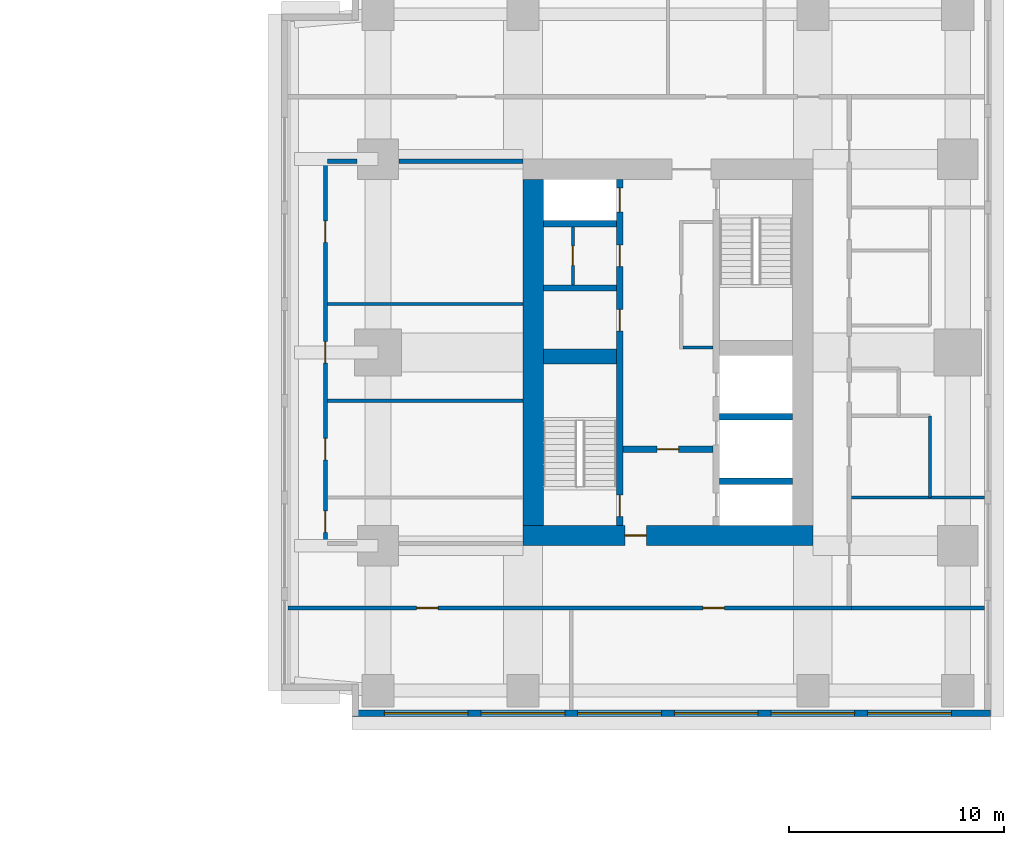
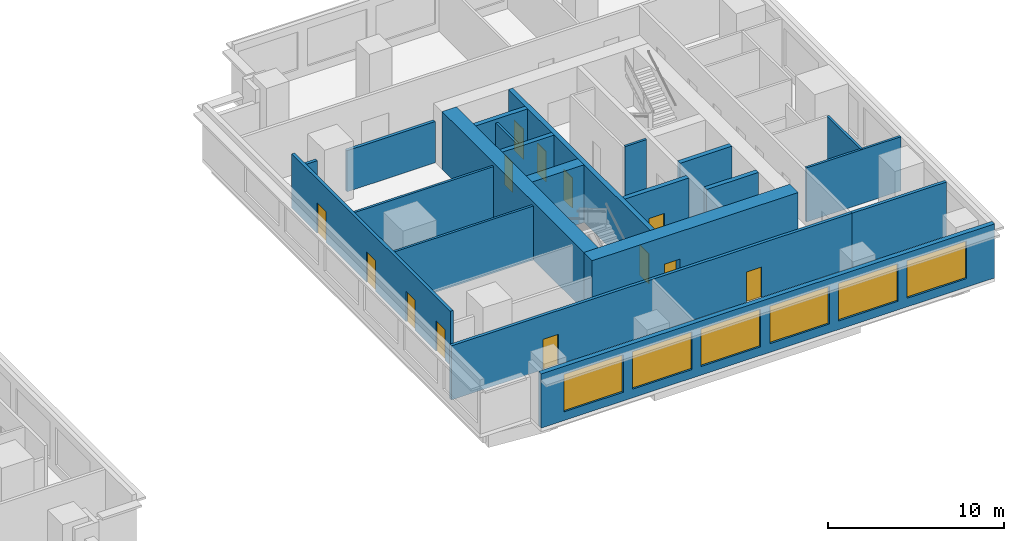
# One storey, part 6 of 10: 21 walls, 13 doors, 6 windows, 19 openings.
"""IFC4 building model written with IfcOpenShell, lengths in metres."""

from ifc_helpers import new_model, si_unit, direction, frame, frame_2d, origin, place, context, subcontext, project, spatial, rectangle, extrude, material, layer, layer_set, type_object, element, fill, save


model = new_model("IFC4")

# Units and contexts
model_context = context("Model", 3, precision=1e-05, world=origin(), true_north=direction((0.0, 1.0)))
body_context = subcontext(model_context, "Body", "Model", "MODEL_VIEW")
ifc_project = project(units=[si_unit("LENGTHUNIT", "METRE"), si_unit("AREAUNIT", "SQUARE_METRE"), si_unit("VOLUMEUNIT", "CUBIC_METRE"), si_unit("PLANEANGLEUNIT", "RADIAN"), si_unit("MASSUNIT", "GRAM", prefix="KILO")], contexts=[model_context])

# Site, building, storey
site_placement = place(None, origin())
site = spatial("IfcSite", under=ifc_project, at=site_placement, CompositionType="ELEMENT")
building_placement = place(site_placement, origin())
building = spatial("IfcBuilding", under=site, at=building_placement, Name="Namib Vertical Campus", CompositionType="ELEMENT")
storey_placement = place(building_placement, frame((0.0, 0.0, 157.0)))
storey = spatial("IfcBuildingStorey", under=building, at=storey_placement, Name="L37", CompositionType="ELEMENT", Elevation=157.0)

# Wall, openings, doors
ifc_material_1 = material(Name="Concrete C60/75", Category="concrete")
ifc_layer_1 = layer(ifc_material_1, 0.300048828125)
ifc_layer_set_1 = layer_set([ifc_layer_1], Name="Concrete C60/75")
wall_type_1 = type_object("IfcWallType", Name="Core inner wall 300", PredefinedType="SHEAR", material=ifc_layer_set_1)
wall_1_placement = place(storey_placement, frame((78.75, 12.199951171875, 0.0), z_axis=(0.0, 0.0, 1.0), x_axis=(0.0, 1.0, 0.0)))
wall_1 = element("IfcWall", 1, at=wall_1_placement, inside=storey, type_object=wall_type_1, Name="Core inner wall B L37 W1", PredefinedType="SHEAR", context=body_context, shape_type="SweptSolid", body=[
    extrude(rectangle(XDim=16.10009765625, YDim=0.300048828125, at=frame_2d((8.050048828125, 0.0))), origin(), (0.0, 0.0, 1.0), 4.0),
])
opening_1_placement = place(wall_1_placement, frame((0.39990234375, 0.0, 0.0)))
opening_1 = element("IfcOpeningElement", 2, at=opening_1_placement, cuts=wall_1, Name="Opening FD1", PredefinedType="OPENING", context=body_context, shape_type="SweptSolid", body=[
    extrude(rectangle(XDim=1.0, YDim=2.10009765625, at=frame_2d((0.5, 1.050048828125))), frame((0.0, 0.159912109375, 0.0), z_axis=(0.0, -1.0, 0.0), x_axis=(1.0, 0.0, 0.0)), (0.0, 0.0, 1.0), 0.320068359375),
])
opening_2_placement = place(wall_1_placement, frame((14.60009765625, 0.0, 0.0)))
opening_2 = element("IfcOpeningElement", 3, at=opening_2_placement, cuts=wall_1, Name="Opening LD1", PredefinedType="OPENING", context=body_context, shape_type="SweptSolid", body=[
    extrude(rectangle(XDim=1.10009765625, YDim=2.10009765625, at=frame_2d((0.550048828125, 1.050048828125))), frame((0.0, 0.159912109375, 0.0), z_axis=(0.0, -1.0, 0.0), x_axis=(1.0, 0.0, 0.0)), (0.0, 0.0, 1.0), 0.320068359375),
])
opening_3_placement = place(wall_1_placement, frame((9.050048828125, 0.0, 0.0)))
opening_3 = element("IfcOpeningElement", 4, at=opening_3_placement, cuts=wall_1, Name="Opening D1", PredefinedType="OPENING", context=body_context, shape_type="SweptSolid", body=[
    extrude(rectangle(XDim=1.0, YDim=2.10009765625, at=frame_2d((0.5, 1.050048828125))), frame((0.0, 0.159912109375, 0.0), z_axis=(0.0, -1.0, 0.0), x_axis=(1.0, 0.0, 0.0)), (0.0, 0.0, 1.0), 0.320068359375),
])
opening_4_placement = place(wall_1_placement, frame((12.050048828125, 0.0, 0.0)))
opening_4 = element("IfcOpeningElement", 5, at=opening_4_placement, cuts=wall_1, Name="Opening D1", PredefinedType="OPENING", context=body_context, shape_type="SweptSolid", body=[
    extrude(rectangle(XDim=1.0, YDim=2.10009765625, at=frame_2d((0.5, 1.050048828125))), frame((0.0, 0.159912109375, 0.0), z_axis=(0.0, -1.0, 0.0), x_axis=(1.0, 0.0, 0.0)), (0.0, 0.0, 1.0), 0.320068359375),
])
ifc_material_2 = material(Name="Timber door leaf", Category="wood")
door_type_1 = type_object("IfcDoorType", Name="Door single 1000x2100", OperationType="SINGLE_SWING_LEFT", PredefinedType="DOOR", material=ifc_material_2)
door_1_placement = place(opening_3_placement, origin())
door_1 = element("IfcDoor", 6, at=door_1_placement, inside=storey, type_object=door_type_1, Name="Door D1 Staff pantry B L37 P1", OperationType="SINGLE_SWING_LEFT", OverallHeight=2.10009765625, OverallWidth=1.0, PredefinedType="DOOR", context=body_context, shape_type="SweptSolid", body=[
    extrude(rectangle(XDim=1.0, YDim=2.10009765625, at=frame_2d((0.5, 1.050048828125))), frame((0.0, 0.02490234375, 0.0), z_axis=(0.0, -1.0, 0.0), x_axis=(1.0, 0.0, 0.0)), (0.0, 0.0, 1.0), 0.050048828125),
])
fill(opening_3, door_1)
door_2_placement = place(opening_4_placement, origin())
door_2 = element("IfcDoor", 7, at=door_2_placement, inside=storey, type_object=door_type_1, Name="Door D1 Records store B L37 P2", OperationType="SINGLE_SWING_LEFT", OverallHeight=2.10009765625, OverallWidth=1.0, PredefinedType="DOOR", context=body_context, shape_type="SweptSolid", body=[
    extrude(rectangle(XDim=1.0, YDim=2.10009765625, at=frame_2d((0.5, 1.050048828125))), frame((0.0, 0.02490234375, 0.0), z_axis=(0.0, -1.0, 0.0), x_axis=(1.0, 0.0, 0.0)), (0.0, 0.0, 1.0), 0.050048828125),
])
fill(opening_4, door_2)
ifc_material_3 = material(Name="Steel fire door", Category="steel")
door_type_2 = type_object("IfcDoorType", Name="Fire door 1000x2100", OperationType="SINGLE_SWING_RIGHT", PredefinedType="DOOR", material=ifc_material_3)
door_3_placement = place(opening_1_placement, origin())
door_3 = element("IfcDoor", 8, at=door_3_placement, inside=storey, type_object=door_type_2, Name="Stair door FD1 B L37 S1", OperationType="SINGLE_SWING_LEFT", OverallHeight=2.10009765625, OverallWidth=1.0, PredefinedType="DOOR", context=body_context, shape_type="SweptSolid", body=[
    extrude(rectangle(XDim=1.0, YDim=2.10009765625, at=frame_2d((0.5, 1.050048828125))), frame((0.0, 0.02490234375, 0.0), z_axis=(0.0, -1.0, 0.0), x_axis=(1.0, 0.0, 0.0)), (0.0, 0.0, 1.0), 0.050048828125),
])
fill(opening_1, door_3)
ifc_material_4 = material(Name="Stainless steel lift door", Category="steel")
door_type_3 = type_object("IfcDoorType", Name="Lift landing door 1100x2100", OperationType="DOUBLE_DOOR_SLIDING", PredefinedType="DOOR", material=ifc_material_4)
door_4_placement = place(opening_2_placement, origin())
door_4 = element("IfcDoor", 9, at=door_4_placement, inside=storey, type_object=door_type_3, Name="Lift landing door LD1 B-P3 L37", OperationType="DOUBLE_DOOR_SLIDING", OverallHeight=2.10009765625, OverallWidth=1.10009765625, PredefinedType="DOOR", context=body_context, shape_type="SweptSolid", body=[
    extrude(rectangle(XDim=1.10009765625, YDim=2.10009765625, at=frame_2d((0.550048828125, 1.050048828125))), frame((0.0, 0.02490234375, 0.0), z_axis=(0.0, -1.0, 0.0), x_axis=(1.0, 0.0, 0.0)), (0.0, 0.0, 1.0), 0.050048828125),
])
fill(opening_2, door_4)

# Wall, opening, door
wall_2_placement = place(storey_placement, frame((78.89990234375, 15.75, 0.0), z_axis=(0.0, 0.0, 1.0), x_axis=(1.0, 0.0, 0.0)))
wall_2 = element("IfcWall", 10, at=wall_2_placement, inside=storey, type_object=wall_type_1, Name="Core inner wall B L37 W4", PredefinedType="SHEAR", context=body_context, shape_type="SweptSolid", body=[
    extrude(rectangle(XDim=4.2001953125, YDim=0.300048828125, at=frame_2d((2.10009765625, 0.0))), origin(), (0.0, 0.0, 1.0), 4.0),
])
opening_5_placement = place(wall_2_placement, frame((1.60009765625, 0.0, 0.0)))
opening_5 = element("IfcOpeningElement", 11, at=opening_5_placement, cuts=wall_2, Name="Opening FD5", PredefinedType="OPENING", context=body_context, shape_type="SweptSolid", body=[
    extrude(rectangle(XDim=1.0, YDim=2.10009765625, at=frame_2d((0.5, 1.050048828125))), frame((0.0, 0.159912109375, 0.0), z_axis=(0.0, -1.0, 0.0), x_axis=(1.0, 0.0, 0.0)), (0.0, 0.0, 1.0), 0.320068359375),
])
ifc_material_5 = material(Name="Steel fire door", Category="steel")
door_type_4 = type_object("IfcDoorType", Name="Fire door 1000x2100 120 min", OperationType="SINGLE_SWING_RIGHT", PredefinedType="DOOR", material=ifc_material_5)
door_5_placement = place(opening_5_placement, frame((1.0, 0.0, 0.0), z_axis=(0.0, 0.0, 1.0), x_axis=(-1.0, 0.0, 0.0)))
door_5 = element("IfcDoor", 12, at=door_5_placement, inside=storey, type_object=door_type_4, Name="Lobby door FD5 B L37", OperationType="SINGLE_SWING_RIGHT", OverallHeight=2.10009765625, OverallWidth=1.0, PredefinedType="DOOR", context=body_context, shape_type="SweptSolid", body=[
    extrude(rectangle(XDim=1.0, YDim=2.10009765625, at=frame_2d((0.5, 1.050048828125))), frame((0.0, 0.02490234375, 0.0), z_axis=(0.0, -1.0, 0.0), x_axis=(1.0, 0.0, 0.0)), (0.0, 0.0, 1.0), 0.050048828125),
])
fill(opening_5, door_5)

# Walls
for number, where, z_axis, x_axis, name in (
    (13, (83.39990234375, 14.25, 0.0), (0.0, 0.0, 1.0), (1.0, 0.0, 0.0), "Core inner wall B L37 W5"),
    (14, (83.39990234375, 17.25, 0.0), (0.0, 0.0, 1.0), (1.0, 0.0, 0.0), "Core inner wall B L37 W6"),
    (15, (75.199951171875, 23.25, 0.0), (0.0, 0.0, 1.0), (1.0, 0.0, 0.0), "Core inner wall B L37 W8"),
    (16, (75.199951171875, 26.25, 0.0), (0.0, 0.0, 1.0), (1.0, 0.0, 0.0), "Core inner wall B L37 W9"),
):
    element("IfcWall", number, at=place(storey_placement, frame(where, z_axis=z_axis, x_axis=x_axis)), inside=storey, type_object=wall_type_1, Name=name, PredefinedType="SHEAR", context=body_context, shape_type="SweptSolid", body=[
        extrude(rectangle(XDim=3.400146484375, YDim=0.300048828125, at=frame_2d((1.7001953125, 0.0))), origin(), (0.0, 0.0, 1.0), 4.0),
    ])
ifc_material_6 = material(Name="Concrete C60/75", Category="concrete")
ifc_layer_2 = layer(ifc_material_6, 0.699951171875)
ifc_layer_set_2 = layer_set([ifc_layer_2], Name="Concrete C60/75")
wall_type_2 = type_object("IfcWallType", Name="Core shear wall 700", PredefinedType="SHEAR", material=ifc_layer_set_2)
wall_3_placement = place(storey_placement, frame((75.199951171875, 20.050048828125, 0.0), z_axis=(0.0, 0.0, 1.0), x_axis=(1.0, 0.0, 0.0)))
element("IfcWall", 17, at=wall_3_placement, inside=storey, type_object=wall_type_2, Name="Core shear wall B L37 W3", PredefinedType="SHEAR", context=body_context, shape_type="SweptSolid", body=[
    extrude(rectangle(XDim=3.400146484375, YDim=0.699951171875, at=frame_2d((1.7001953125, 0.0))), origin(), (0.0, 0.0, 1.0), 4.0),
])

# Wall, opening, door
ifc_material_7 = material(Name="Concrete C60/75", Category="concrete")
ifc_layer_3 = layer(ifc_material_7, 0.949951171875)
ifc_layer_set_3 = layer_set([ifc_layer_3], Name="Concrete C60/75")
wall_type_3 = type_object("IfcWallType", Name="Core wall 950", PredefinedType="SHEAR", material=ifc_layer_set_3)
wall_4_placement = place(storey_placement, frame((74.25, 11.72509765625, 0.0), z_axis=(0.0, 0.0, 1.0), x_axis=(1.0, 0.0, 0.0)))
wall_4 = element("IfcWall", 18, at=wall_4_placement, inside=storey, type_object=wall_type_3, Name="Core wall B L37 1", PredefinedType="SHEAR", context=body_context, shape_type="SweptSolid", body=[
    extrude(rectangle(XDim=13.5, YDim=0.949951171875, at=frame_2d((6.75, 0.0))), origin(), (0.0, 0.0, 1.0), 4.0),
])
opening_6_placement = place(wall_4_placement, frame((4.75, 0.0, 0.0)))
opening_6 = element("IfcOpeningElement", 19, at=opening_6_placement, cuts=wall_4, Name="Opening FD5", PredefinedType="OPENING", context=body_context, shape_type="SweptSolid", body=[
    extrude(rectangle(XDim=1.0, YDim=2.10009765625, at=frame_2d((0.5, 1.050048828125))), frame((0.0, 0.48486328125, 0.0), z_axis=(0.0, -1.0, 0.0), x_axis=(1.0, 0.0, 0.0)), (0.0, 0.0, 1.0), 0.969970703125),
])
door_6_placement = place(opening_6_placement, origin())
door_6 = element("IfcDoor", 20, at=door_6_placement, inside=storey, type_object=door_type_4, Name="Firefighting lobby door FD5 B L37", OperationType="SINGLE_SWING_LEFT", OverallHeight=2.10009765625, OverallWidth=1.0, PredefinedType="DOOR", context=body_context, shape_type="SweptSolid", body=[
    extrude(rectangle(XDim=1.0, YDim=2.10009765625, at=frame_2d((0.5, 1.050048828125))), frame((0.0, 0.02490234375, 0.0), z_axis=(0.0, -1.0, 0.0), x_axis=(1.0, 0.0, 0.0)), (0.0, 0.0, 1.0), 0.050048828125),
])
fill(opening_6, door_6)

# Wall
wall_5_placement = place(storey_placement, frame((74.72509765625, 28.300048828125, 0.0), z_axis=(0.0, 0.0, 1.0), x_axis=(0.0, -1.0, 0.0)))
element("IfcWall", 21, at=wall_5_placement, inside=storey, type_object=wall_type_3, Name="Core wall B L37 4", PredefinedType="SHEAR", context=body_context, shape_type="SweptSolid", body=[
    extrude(rectangle(XDim=16.10009765625, YDim=0.949951171875, at=frame_2d((8.050048828125, 0.0))), origin(), (0.0, 0.0, 1.0), 4.0),
])

# Wall, openings, doors
ifc_material_8 = material(Name="Concrete masonry", Category="masonry")
ifc_layer_4 = layer(ifc_material_8, 0.199951171875)
ifc_layer_set_4 = layer_set([ifc_layer_4], Name="Corridor wall 200")
wall_type_4 = type_object("IfcWallType", Name="Corridor wall 200", PredefinedType="SOLIDWALL", material=ifc_layer_set_4)
wall_6_placement = place(storey_placement, frame((63.300048828125, 8.35009765625, 0.0), z_axis=(0.0, 0.0, 1.0), x_axis=(1.0, 0.0, 0.0)))
wall_6 = element("IfcWall", 22, at=wall_6_placement, inside=storey, type_object=wall_type_4, Name="Corridor wall B L37 CS", PredefinedType="SOLIDWALL", context=body_context, shape_type="SweptSolid", body=[
    extrude(rectangle(XDim=26.25, YDim=0.199951171875, at=frame_2d((13.125, 0.0))), origin(), (0.0, 0.0, 1.0), 3.75),
])
opening_7_placement = place(wall_6_placement, frame((6.0, 0.0, 0.0)))
opening_7 = element("IfcOpeningElement", 23, at=opening_7_placement, cuts=wall_6, Name="Opening CD1", PredefinedType="OPENING", context=body_context, shape_type="SweptSolid", body=[
    extrude(rectangle(XDim=1.0, YDim=2.10009765625, at=frame_2d((0.5, 1.050048828125))), frame((0.0, 0.10986328125, 0.0), z_axis=(0.0, -1.0, 0.0), x_axis=(1.0, 0.0, 0.0)), (0.0, 0.0, 1.0), 0.219970703125),
])
opening_8_placement = place(wall_6_placement, frame((19.324951171875, 0.0, 0.0)))
opening_8 = element("IfcOpeningElement", 24, at=opening_8_placement, cuts=wall_6, Name="Opening CD1", PredefinedType="OPENING", context=body_context, shape_type="SweptSolid", body=[
    extrude(rectangle(XDim=1.0, YDim=2.10009765625, at=frame_2d((0.5, 1.050048828125))), frame((0.0, 0.10986328125, 0.0), z_axis=(0.0, -1.0, 0.0), x_axis=(1.0, 0.0, 0.0)), (0.0, 0.0, 1.0), 0.219970703125),
])
ifc_material_9 = material(Name="Timber fire door leaf", Category="wood")
door_type_5 = type_object("IfcDoorType", Name="Corridor door 1000x2100 20 min", OperationType="SINGLE_SWING_LEFT", PredefinedType="DOOR", material=ifc_material_9)
door_7_placement = place(opening_7_placement, frame((1.0, 0.0, 0.0), z_axis=(0.0, 0.0, 1.0), x_axis=(-1.0, 0.0, 0.0)))
door_7 = element("IfcDoor", 25, at=door_7_placement, inside=storey, type_object=door_type_5, Name="Door CD1 B37-01", OperationType="SINGLE_SWING_LEFT", OverallHeight=2.10009765625, OverallWidth=1.0, PredefinedType="DOOR", context=body_context, shape_type="SweptSolid", body=[
    extrude(rectangle(XDim=1.0, YDim=2.10009765625, at=frame_2d((0.5, 1.050048828125))), frame((0.0, 0.02490234375, 0.0), z_axis=(0.0, -1.0, 0.0), x_axis=(1.0, 0.0, 0.0)), (0.0, 0.0, 1.0), 0.050048828125),
])
fill(opening_7, door_7)
door_8_placement = place(opening_8_placement, frame((1.0, 0.0, 0.0), z_axis=(0.0, 0.0, 1.0), x_axis=(-1.0, 0.0, 0.0)))
door_8 = element("IfcDoor", 26, at=door_8_placement, inside=storey, type_object=door_type_5, Name="Door CD1 B37-02", OperationType="SINGLE_SWING_RIGHT", OverallHeight=2.10009765625, OverallWidth=1.0, PredefinedType="DOOR", context=body_context, shape_type="SweptSolid", body=[
    extrude(rectangle(XDim=1.0, YDim=2.10009765625, at=frame_2d((0.5, 1.050048828125))), frame((0.0, 0.02490234375, 0.0), z_axis=(0.0, -1.0, 0.0), x_axis=(1.0, 0.0, 0.0)), (0.0, 0.0, 1.0), 0.050048828125),
])
fill(opening_8, door_8)

wall_7_placement = place(storey_placement, frame((65.050048828125, 29.25, 0.0), z_axis=(0.0, 0.0, 1.0), x_axis=(0.0, -1.0, 0.0)))
wall_7 = element("IfcWall", 27, at=wall_7_placement, inside=storey, type_object=wall_type_4, Name="Corridor wall B L37 CG", PredefinedType="SOLIDWALL", context=body_context, shape_type="SweptSolid", body=[
    extrude(rectangle(XDim=18.0, YDim=0.199951171875, at=frame_2d((9.0, 0.0))), origin(), (0.0, 0.0, 1.0), 3.75),
])
opening_9_placement = place(wall_7_placement, frame((16.375, 0.0, 0.0)))
opening_9 = element("IfcOpeningElement", 28, at=opening_9_placement, cuts=wall_7, Name="Opening CD1", PredefinedType="OPENING", context=body_context, shape_type="SweptSolid", body=[
    extrude(rectangle(XDim=1.0, YDim=2.10009765625, at=frame_2d((0.5, 1.050048828125))), frame((0.0, 0.10986328125, 0.0), z_axis=(0.0, -1.0, 0.0), x_axis=(1.0, 0.0, 0.0)), (0.0, 0.0, 1.0), 0.219970703125),
])
opening_10_placement = place(wall_7_placement, frame((13.0, 0.0, 0.0)))
opening_10 = element("IfcOpeningElement", 29, at=opening_10_placement, cuts=wall_7, Name="Opening CD1", PredefinedType="OPENING", context=body_context, shape_type="SweptSolid", body=[
    extrude(rectangle(XDim=1.0, YDim=2.10009765625, at=frame_2d((0.5, 1.050048828125))), frame((0.0, 0.10986328125, 0.0), z_axis=(0.0, -1.0, 0.0), x_axis=(1.0, 0.0, 0.0)), (0.0, 0.0, 1.0), 0.219970703125),
])
opening_11_placement = place(wall_7_placement, frame((8.5, 0.0, 0.0)))
opening_11 = element("IfcOpeningElement", 30, at=opening_11_placement, cuts=wall_7, Name="Opening CD1", PredefinedType="OPENING", context=body_context, shape_type="SweptSolid", body=[
    extrude(rectangle(XDim=1.0, YDim=2.10009765625, at=frame_2d((0.5, 1.050048828125))), frame((0.0, 0.10986328125, 0.0), z_axis=(0.0, -1.0, 0.0), x_axis=(1.0, 0.0, 0.0)), (0.0, 0.0, 1.0), 0.219970703125),
])
opening_12_placement = place(wall_7_placement, frame((2.875, 0.0, 0.0)))
opening_12 = element("IfcOpeningElement", 31, at=opening_12_placement, cuts=wall_7, Name="Opening CD1", PredefinedType="OPENING", context=body_context, shape_type="SweptSolid", body=[
    extrude(rectangle(XDim=1.0, YDim=2.10009765625, at=frame_2d((0.5, 1.050048828125))), frame((0.0, 0.10986328125, 0.0), z_axis=(0.0, -1.0, 0.0), x_axis=(1.0, 0.0, 0.0)), (0.0, 0.0, 1.0), 0.219970703125),
])
door_9_placement = place(opening_9_placement, origin())
door_9 = element("IfcDoor", 32, at=door_9_placement, inside=storey, type_object=door_type_5, Name="Door CD1 B37-13", OperationType="SINGLE_SWING_LEFT", OverallHeight=2.10009765625, OverallWidth=1.0, PredefinedType="DOOR", context=body_context, shape_type="SweptSolid", body=[
    extrude(rectangle(XDim=1.0, YDim=2.10009765625, at=frame_2d((0.5, 1.050048828125))), frame((0.0, 0.02490234375, 0.0), z_axis=(0.0, -1.0, 0.0), x_axis=(1.0, 0.0, 0.0)), (0.0, 0.0, 1.0), 0.050048828125),
])
fill(opening_9, door_9)
door_10_placement = place(opening_10_placement, origin())
door_10 = element("IfcDoor", 33, at=door_10_placement, inside=storey, type_object=door_type_5, Name="Door CD1 B37-14", OperationType="SINGLE_SWING_LEFT", OverallHeight=2.10009765625, OverallWidth=1.0, PredefinedType="DOOR", context=body_context, shape_type="SweptSolid", body=[
    extrude(rectangle(XDim=1.0, YDim=2.10009765625, at=frame_2d((0.5, 1.050048828125))), frame((0.0, 0.02490234375, 0.0), z_axis=(0.0, -1.0, 0.0), x_axis=(1.0, 0.0, 0.0)), (0.0, 0.0, 1.0), 0.050048828125),
])
fill(opening_10, door_10)
door_11_placement = place(opening_11_placement, origin())
door_11 = element("IfcDoor", 34, at=door_11_placement, inside=storey, type_object=door_type_5, Name="Door CD1 B37-15", OperationType="SINGLE_SWING_LEFT", OverallHeight=2.10009765625, OverallWidth=1.0, PredefinedType="DOOR", context=body_context, shape_type="SweptSolid", body=[
    extrude(rectangle(XDim=1.0, YDim=2.10009765625, at=frame_2d((0.5, 1.050048828125))), frame((0.0, 0.02490234375, 0.0), z_axis=(0.0, -1.0, 0.0), x_axis=(1.0, 0.0, 0.0)), (0.0, 0.0, 1.0), 0.050048828125),
])
fill(opening_11, door_11)
door_12_placement = place(opening_12_placement, origin())
door_12 = element("IfcDoor", 35, at=door_12_placement, inside=storey, type_object=door_type_5, Name="Door CD1 B37-16", OperationType="SINGLE_SWING_LEFT", OverallHeight=2.10009765625, OverallWidth=1.0, PredefinedType="DOOR", context=body_context, shape_type="SweptSolid", body=[
    extrude(rectangle(XDim=1.0, YDim=2.10009765625, at=frame_2d((0.5, 1.050048828125))), frame((0.0, 0.02490234375, 0.0), z_axis=(0.0, -1.0, 0.0), x_axis=(1.0, 0.0, 0.0)), (0.0, 0.0, 1.0), 0.050048828125),
])
fill(opening_12, door_12)

# Walls
wall_8_placement = place(storey_placement, frame((65.14990234375, 29.14990234375, 0.0), z_axis=(0.0, 0.0, 1.0), x_axis=(1.0, 0.0, 0.0)))
element("IfcWall", 36, at=wall_8_placement, inside=storey, type_object=wall_type_4, Name="Corridor wall B L37 GN", PredefinedType="SOLIDWALL", context=body_context, shape_type="SweptSolid", body=[
    extrude(rectangle(XDim=1.380126953125, YDim=0.199951171875, at=frame_2d((0.68994140625, 0.0))), origin(), (0.0, 0.0, 1.0), 2.85009765625),
])
wall_9_placement = place(storey_placement, frame((68.469970703125, 29.14990234375, 0.0), z_axis=(0.0, 0.0, 1.0), x_axis=(1.0, 0.0, 0.0)))
element("IfcWall", 37, at=wall_9_placement, inside=storey, type_object=wall_type_4, Name="Corridor wall B L37 GN", PredefinedType="SOLIDWALL", context=body_context, shape_type="SweptSolid", body=[
    extrude(rectangle(XDim=5.780029296875, YDim=0.199951171875, at=frame_2d((2.89013671875, 0.0))), origin(), (0.0, 0.0, 1.0), 2.85009765625),
])
wall_10_placement = place(storey_placement, frame((89.550048828125, 8.35009765625, 0.0), z_axis=(0.0, 0.0, 1.0), x_axis=(1.0, 0.0, 0.0)))
element("IfcWall", 38, at=wall_10_placement, inside=storey, type_object=wall_type_4, Name="Partition B L37 BSE", PredefinedType="SOLIDWALL", context=body_context, shape_type="SweptSolid", body=[
    extrude(rectangle(XDim=6.199951171875, YDim=0.199951171875, at=frame_2d((3.10009765625, 0.0))), origin(), (0.0, 0.0, 1.0), 3.75),
])

# Wall, openings, windows
ifc_material_10 = material(Name="Concrete C40/50", Category="concrete")
ifc_layer_5 = layer(ifc_material_10, 0.300048828125)
ifc_layer_set_5 = layer_set([ifc_layer_5], Name="Concrete C40/50")
wall_type_5 = type_object("IfcWallType", Name="External wall 300 board-marked concrete", PredefinedType="STANDARD", material=ifc_layer_set_5)
wall_11_placement = place(storey_placement, frame((66.320068359375, 3.449951171875, 0.0), z_axis=(0.0, 0.0, 1.0), x_axis=(1.0, 0.0, 0.0)))
wall_11 = element("IfcWall", 39, at=wall_11_placement, inside=storey, type_object=wall_type_5, Name="External wall L37 F03", PredefinedType="STANDARD", context=body_context, shape_type="SweptSolid", body=[
    extrude(rectangle(XDim=29.7099609375, YDim=0.300048828125, at=frame_2d((14.85498046875, 0.0))), origin(), (0.0, 0.0, 1.0), 3.75),
])
opening_13_placement = place(wall_11_placement, frame((1.47998046875, 0.0, 0.60009765625)))
opening_13 = element("IfcOpeningElement", 40, at=opening_13_placement, cuts=wall_11, Name="Opening W2", PredefinedType="OPENING", context=body_context, shape_type="SweptSolid", body=[
    extrude(rectangle(XDim=3.89990234375, YDim=2.60009765625, at=frame_2d((1.949951171875, 1.300048828125))), frame((0.0, 0.159912109375, 0.0), z_axis=(0.0, -1.0, 0.0), x_axis=(1.0, 0.0, 0.0)), (0.0, 0.0, 1.0), 0.320068359375),
])
opening_14_placement = place(wall_11_placement, frame((5.97998046875, 0.0, 0.60009765625)))
opening_14 = element("IfcOpeningElement", 41, at=opening_14_placement, cuts=wall_11, Name="Opening W2", PredefinedType="OPENING", context=body_context, shape_type="SweptSolid", body=[
    extrude(rectangle(XDim=3.89990234375, YDim=2.60009765625, at=frame_2d((1.949951171875, 1.300048828125))), frame((0.0, 0.159912109375, 0.0), z_axis=(0.0, -1.0, 0.0), x_axis=(1.0, 0.0, 0.0)), (0.0, 0.0, 1.0), 0.320068359375),
])
opening_15_placement = place(wall_11_placement, frame((10.47998046875, 0.0, 0.60009765625)))
opening_15 = element("IfcOpeningElement", 42, at=opening_15_placement, cuts=wall_11, Name="Opening W2", PredefinedType="OPENING", context=body_context, shape_type="SweptSolid", body=[
    extrude(rectangle(XDim=3.89990234375, YDim=2.60009765625, at=frame_2d((1.949951171875, 1.300048828125))), frame((0.0, 0.159912109375, 0.0), z_axis=(0.0, -1.0, 0.0), x_axis=(1.0, 0.0, 0.0)), (0.0, 0.0, 1.0), 0.320068359375),
])
opening_16_placement = place(wall_11_placement, frame((14.97998046875, 0.0, 0.60009765625)))
opening_16 = element("IfcOpeningElement", 43, at=opening_16_placement, cuts=wall_11, Name="Opening W2", PredefinedType="OPENING", context=body_context, shape_type="SweptSolid", body=[
    extrude(rectangle(XDim=3.89990234375, YDim=2.60009765625, at=frame_2d((1.949951171875, 1.300048828125))), frame((0.0, 0.159912109375, 0.0), z_axis=(0.0, -1.0, 0.0), x_axis=(1.0, 0.0, 0.0)), (0.0, 0.0, 1.0), 0.320068359375),
])
opening_17_placement = place(wall_11_placement, frame((19.47998046875, 0.0, 0.60009765625)))
opening_17 = element("IfcOpeningElement", 44, at=opening_17_placement, cuts=wall_11, Name="Opening W2", PredefinedType="OPENING", context=body_context, shape_type="SweptSolid", body=[
    extrude(rectangle(XDim=3.89990234375, YDim=2.60009765625, at=frame_2d((1.949951171875, 1.300048828125))), frame((0.0, 0.159912109375, 0.0), z_axis=(0.0, -1.0, 0.0), x_axis=(1.0, 0.0, 0.0)), (0.0, 0.0, 1.0), 0.320068359375),
])
opening_18_placement = place(wall_11_placement, frame((23.97998046875, 0.0, 0.60009765625)))
opening_18 = element("IfcOpeningElement", 45, at=opening_18_placement, cuts=wall_11, Name="Opening W2", PredefinedType="OPENING", context=body_context, shape_type="SweptSolid", body=[
    extrude(rectangle(XDim=3.89990234375, YDim=2.60009765625, at=frame_2d((1.949951171875, 1.300048828125))), frame((0.0, 0.159912109375, 0.0), z_axis=(0.0, -1.0, 0.0), x_axis=(1.0, 0.0, 0.0)), (0.0, 0.0, 1.0), 0.320068359375),
])
ifc_material_11 = material(Name="Dark tinted glass in black aluminium frame", Category="aluminium")
window_type = type_object("IfcWindowType", Name="Ribbon window 3900x2600", PartitioningType="SINGLE_PANEL", PredefinedType="WINDOW", material=ifc_material_11)
window_1_placement = place(opening_13_placement, origin())
window_1 = element("IfcWindow", 46, at=window_1_placement, inside=storey, type_object=window_type, Name="Window W2 L37 F03-1", OverallHeight=2.60009765625, OverallWidth=3.89990234375, PartitioningType="SINGLE_PANEL", PredefinedType="WINDOW", context=body_context, shape_type="SweptSolid", body=[
    extrude(rectangle(XDim=3.89990234375, YDim=2.60009765625, at=frame_2d((1.949951171875, 1.300048828125))), frame((0.0, 0.030029296875, 0.0), z_axis=(0.0, -1.0, 0.0), x_axis=(1.0, 0.0, 0.0)), (0.0, 0.0, 1.0), 0.06005859375),
])
fill(opening_13, window_1)
window_2_placement = place(opening_14_placement, origin())
window_2 = element("IfcWindow", 47, at=window_2_placement, inside=storey, type_object=window_type, Name="Window W2 L37 F03-2", OverallHeight=2.60009765625, OverallWidth=3.89990234375, PartitioningType="SINGLE_PANEL", PredefinedType="WINDOW", context=body_context, shape_type="SweptSolid", body=[
    extrude(rectangle(XDim=3.89990234375, YDim=2.60009765625, at=frame_2d((1.949951171875, 1.300048828125))), frame((0.0, 0.030029296875, 0.0), z_axis=(0.0, -1.0, 0.0), x_axis=(1.0, 0.0, 0.0)), (0.0, 0.0, 1.0), 0.06005859375),
])
fill(opening_14, window_2)
window_3_placement = place(opening_15_placement, origin())
window_3 = element("IfcWindow", 48, at=window_3_placement, inside=storey, type_object=window_type, Name="Window W2 L37 F03-3", OverallHeight=2.60009765625, OverallWidth=3.89990234375, PartitioningType="SINGLE_PANEL", PredefinedType="WINDOW", context=body_context, shape_type="SweptSolid", body=[
    extrude(rectangle(XDim=3.89990234375, YDim=2.60009765625, at=frame_2d((1.949951171875, 1.300048828125))), frame((0.0, 0.030029296875, 0.0), z_axis=(0.0, -1.0, 0.0), x_axis=(1.0, 0.0, 0.0)), (0.0, 0.0, 1.0), 0.06005859375),
])
fill(opening_15, window_3)
window_4_placement = place(opening_16_placement, origin())
window_4 = element("IfcWindow", 49, at=window_4_placement, inside=storey, type_object=window_type, Name="Window W2 L37 F03-4", OverallHeight=2.60009765625, OverallWidth=3.89990234375, PartitioningType="SINGLE_PANEL", PredefinedType="WINDOW", context=body_context, shape_type="SweptSolid", body=[
    extrude(rectangle(XDim=3.89990234375, YDim=2.60009765625, at=frame_2d((1.949951171875, 1.300048828125))), frame((0.0, 0.030029296875, 0.0), z_axis=(0.0, -1.0, 0.0), x_axis=(1.0, 0.0, 0.0)), (0.0, 0.0, 1.0), 0.06005859375),
])
fill(opening_16, window_4)
window_5_placement = place(opening_17_placement, origin())
window_5 = element("IfcWindow", 50, at=window_5_placement, inside=storey, type_object=window_type, Name="Window W2 L37 F03-5", OverallHeight=2.60009765625, OverallWidth=3.89990234375, PartitioningType="SINGLE_PANEL", PredefinedType="WINDOW", context=body_context, shape_type="SweptSolid", body=[
    extrude(rectangle(XDim=3.89990234375, YDim=2.60009765625, at=frame_2d((1.949951171875, 1.300048828125))), frame((0.0, 0.030029296875, 0.0), z_axis=(0.0, -1.0, 0.0), x_axis=(1.0, 0.0, 0.0)), (0.0, 0.0, 1.0), 0.06005859375),
])
fill(opening_17, window_5)
window_6_placement = place(opening_18_placement, origin())
window_6 = element("IfcWindow", 51, at=window_6_placement, inside=storey, type_object=window_type, Name="Window W2 L37 F03-6", OverallHeight=2.60009765625, OverallWidth=3.89990234375, PartitioningType="SINGLE_PANEL", PredefinedType="WINDOW", context=body_context, shape_type="SweptSolid", body=[
    extrude(rectangle(XDim=3.89990234375, YDim=2.60009765625, at=frame_2d((1.949951171875, 1.300048828125))), frame((0.0, 0.030029296875, 0.0), z_axis=(0.0, -1.0, 0.0), x_axis=(1.0, 0.0, 0.0)), (0.0, 0.0, 1.0), 0.06005859375),
])
fill(opening_18, window_6)

# Wall
ifc_material_12 = material(Name="Gypsum board on steel studs", Category="steel")
ifc_layer_6 = layer(ifc_material_12, 0.14990234375)
ifc_layer_set_6 = layer_set([ifc_layer_6], Name="Gypsum board on steel studs")
wall_type_6 = type_object("IfcWallType", Name="Partition 150", PredefinedType="PARTITIONING", material=ifc_layer_set_6)
wall_12_placement = place(storey_placement, frame((81.699951171875, 20.47509765625, 0.0), z_axis=(0.0, 0.0, 1.0), x_axis=(1.0, 0.0, 0.0)))
element("IfcWall", 52, at=wall_12_placement, inside=storey, type_object=wall_type_6, Name="Partition B L37 Store end 1", PredefinedType="PARTITIONING", context=body_context, shape_type="SweptSolid", body=[
    extrude(rectangle(XDim=1.400146484375, YDim=0.14990234375, at=frame_2d((0.7001953125, 0.0))), origin(), (0.0, 0.0, 1.0), 3.75),
])

# Wall, opening, door
wall_13_placement = place(storey_placement, frame((76.574951171875, 23.39990234375, 0.0), z_axis=(0.0, 0.0, 1.0), x_axis=(0.0, 1.0, 0.0)))
wall_13 = element("IfcWall", 53, at=wall_13_placement, inside=storey, type_object=wall_type_6, Name="Partition B L37 Records store P2 back", PredefinedType="PARTITIONING", context=body_context, shape_type="SweptSolid", body=[
    extrude(rectangle(XDim=2.7001953125, YDim=0.14990234375, at=frame_2d((1.35009765625, 0.0))), origin(), (0.0, 0.0, 1.0), 3.75),
])
opening_19_placement = place(wall_13_placement, frame((0.89990234375, 0.0, 0.0)))
opening_19 = element("IfcOpeningElement", 54, at=opening_19_placement, cuts=wall_13, Name="Opening D3", PredefinedType="OPENING", context=body_context, shape_type="SweptSolid", body=[
    extrude(rectangle(XDim=0.89990234375, YDim=2.10009765625, at=frame_2d((0.449951171875, 1.050048828125))), frame((0.0, 0.0849609375, 0.0), z_axis=(0.0, -1.0, 0.0), x_axis=(1.0, 0.0, 0.0)), (0.0, 0.0, 1.0), 0.169921875),
])
ifc_material_13 = material(Name="Timber door leaf", Category="wood")
door_type_6 = type_object("IfcDoorType", Name="Toilet door 900x2100", OperationType="SINGLE_SWING_LEFT", PredefinedType="DOOR", material=ifc_material_13)
door_13_placement = place(opening_19_placement, origin())
door_13 = element("IfcDoor", 55, at=door_13_placement, inside=storey, type_object=door_type_6, Name="Door D3 Store B L37 P2", OperationType="SINGLE_SWING_LEFT", OverallHeight=2.10009765625, OverallWidth=0.89990234375, PredefinedType="DOOR", context=body_context, shape_type="SweptSolid", body=[
    extrude(rectangle(XDim=0.89990234375, YDim=2.10009765625, at=frame_2d((0.449951171875, 1.050048828125))), frame((0.0, 0.02490234375, 0.0), z_axis=(0.0, -1.0, 0.0), x_axis=(1.0, 0.0, 0.0)), (0.0, 0.0, 1.0), 0.050048828125),
])
fill(opening_19, door_13)

# Walls
wall_14_placement = place(storey_placement, frame((89.550048828125, 13.5, 0.0), z_axis=(0.0, 0.0, 1.0), x_axis=(1.0, 0.0, 0.0)))
element("IfcWall", 56, at=wall_14_placement, inside=storey, type_object=wall_type_6, Name="Partition B L37 PE1", PredefinedType="PARTITIONING", context=body_context, shape_type="SweptSolid", body=[
    extrude(rectangle(XDim=6.199951171875, YDim=0.14990234375, at=frame_2d((3.10009765625, 0.0))), origin(), (0.0, 0.0, 1.0), 3.75),
])
for number, where, z_axis, x_axis, name in (
    (57, (65.14990234375, 18.0, 0.0), (0.0, 0.0, 1.0), (1.0, 0.0, 0.0), "Partition B L37 PW2"),
    (58, (65.14990234375, 22.5, 0.0), (0.0, 0.0, 1.0), (1.0, 0.0, 0.0), "Partition B L37 PW3"),
):
    element("IfcWall", number, at=place(storey_placement, frame(where, z_axis=z_axis, x_axis=x_axis)), inside=storey, type_object=wall_type_6, Name=name, PredefinedType="PARTITIONING", context=body_context, shape_type="SweptSolid", body=[
        extrude(rectangle(XDim=9.10009765625, YDim=0.14990234375, at=frame_2d((4.550048828125, 0.0))), origin(), (0.0, 0.0, 1.0), 3.75),
    ])
wall_15_placement = place(storey_placement, frame((93.199951171875, 13.5, 0.0), z_axis=(0.0, 0.0, 1.0), x_axis=(0.0, 1.0, 0.0)))
element("IfcWall", 59, at=wall_15_placement, inside=storey, type_object=wall_type_6, Name="Partition B L37 WB1", PredefinedType="PARTITIONING", context=body_context, shape_type="SweptSolid", body=[
    extrude(rectangle(XDim=3.800048828125, YDim=0.14990234375, at=frame_2d((1.89990234375, 0.0))), origin(), (0.0, 0.0, 1.0), 3.75),
])

save(model, "model.ifc")
